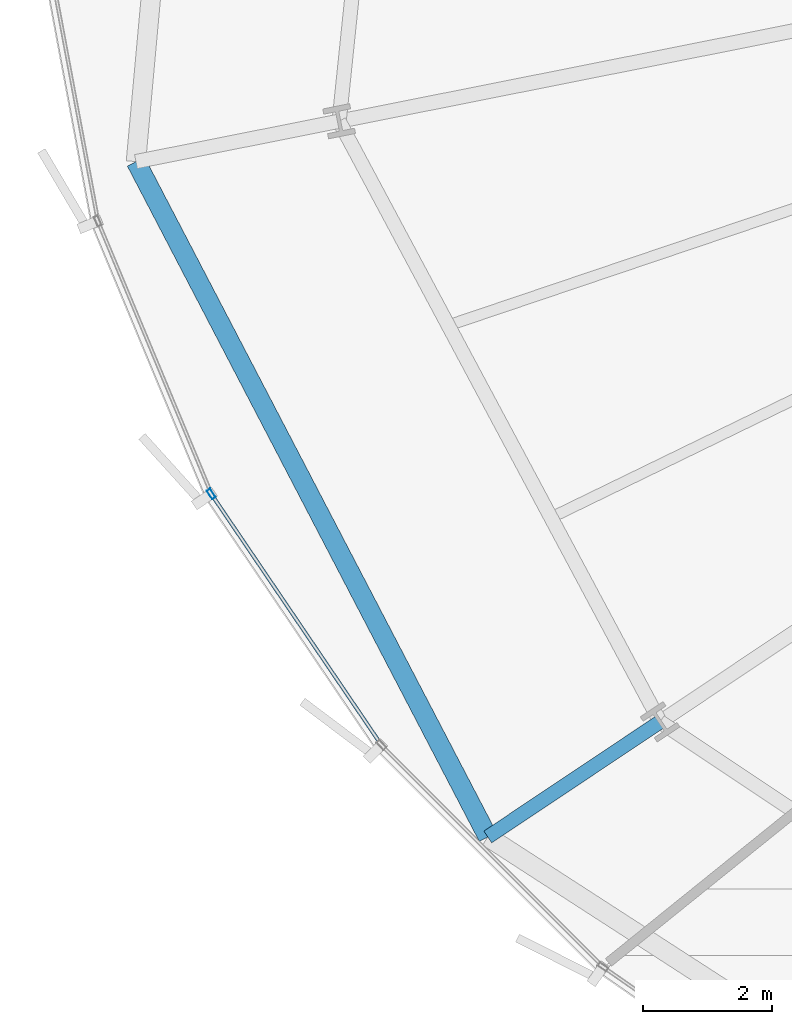
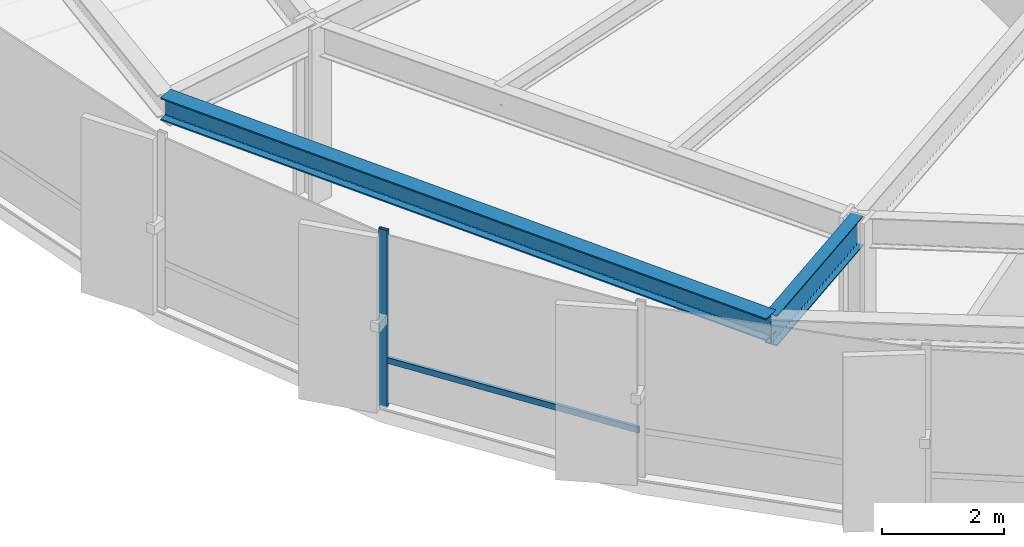
# One storey, part 3 of 37: 2 beams, 2 members, 1 element without a shape of its own.
"""IFC4 building model written with IfcOpenShell, lengths in metres."""

from ifc_helpers import new_model, si_unit, direction, frame, origin, origin_2d, place, context, subcontext, project, spatial, hollow_rectangle, i_section, extrude, source, transform, mapped, material, layer, layer_set, material_profile, profile_set, type_object, element, aggregate, save


model = new_model("IFC4")

# Units and contexts
model_context = context("Model", 3, precision=1e-05, world=origin(), true_north=direction((0.0, 1.0)))
body_context = subcontext(model_context, "Body", "Model", "MODEL_VIEW")
ifc_project = project(units=[si_unit("LENGTHUNIT", "METRE"), si_unit("AREAUNIT", "SQUARE_METRE"), si_unit("VOLUMEUNIT", "CUBIC_METRE"), si_unit("PLANEANGLEUNIT", "RADIAN"), si_unit("MASSUNIT", "GRAM", prefix="KILO"), si_unit("THERMODYNAMICTEMPERATUREUNIT", "KELVIN")], contexts=[model_context])

# Site, building, storey
site_placement = place(None, origin())
site = spatial("IfcSite", under=ifc_project, at=site_placement, CompositionType="ELEMENT")
building_placement = place(site_placement, origin())
building = spatial("IfcBuilding", under=site, at=building_placement, Name="Kethvar Cultural Tower", CompositionType="ELEMENT")
storey_placement = place(building_placement, frame((0.0, 0.0, 48.60009765625)))
storey = spatial("IfcBuildingStorey", under=building, at=storey_placement, Name="L11", CompositionType="ELEMENT", Elevation=48.60009765625)

# Beams
ifc_material_1 = material(Name="Steel S355J2", Category="steel")
ifc_material_profile_1 = material_profile(ifc_material_1, i_section(OverallWidth=0.219970703125, OverallDepth=0.60009765625, WebThickness=0.011962890625, FlangeThickness=0.01904296875, FilletRadius=0.02392578125, at=origin_2d()), Name="Steel S355J2 — IPE600")
ifc_profile_set_1 = profile_set([ifc_material_profile_1], Name="Steel S355J2 — IPE600")
beam_type_1 = type_object("IfcBeamType", Name="BM-IPE600", PredefinedType="BEAM", material=ifc_profile_set_1)
shared_shape_1 = source(origin(), body_context, "Body", "SweptSolid", [
    extrude(i_section(OverallWidth=0.219970703125, OverallDepth=0.60009765625, WebThickness=0.011962890625, FlangeThickness=0.01904296875, FilletRadius=0.02392578125, at=origin_2d()), origin(), (0.0, 0.0, 1.0), 3.2001953125),
])
beam_1_placement = place(storey_placement, frame((24.9248046875, 13.183349609375, 3.247802734375), z_axis=(-0.831486491686, -0.555544970406, 0.0), x_axis=(0.555544970406, -0.831486491686, 0.0)))
element("IfcBeam", 1, at=beam_1_placement, inside=storey, type_object=beam_type_1, Name="L11 Perimeter Cantilever Beam RC-10", PredefinedType="BEAM", context=body_context, shape_type="MappedRepresentation", body=[
    mapped(shared_shape_1, transform((0.0, 0.0, 0.0), scale=1.0)),
])
ifc_material_profile_2 = material_profile(ifc_material_1, i_section(OverallWidth=0.300048828125, OverallDepth=0.449951171875, WebThickness=0.013916015625, FlangeThickness=0.02587890625, FilletRadius=0.027099609375, at=origin_2d()), Name="Steel S355J2 — HEB450")
ifc_profile_set_2 = profile_set([ifc_material_profile_2], Name="Steel S355J2 — HEB450")
beam_type_2 = type_object("IfcBeamType", Name="BM-SP450", PredefinedType="SPANDREL", material=ifc_profile_set_2)
shared_shape_2 = source(origin(), body_context, "Body", "SweptSolid", [
    extrude(i_section(OverallWidth=0.300048828125, OverallDepth=0.449951171875, WebThickness=0.013916015625, FlangeThickness=0.02587890625, FilletRadius=0.027099609375, at=origin_2d()), origin(), (0.0, 0.0, 1.0), 11.76416015625),
])
beam_2_placement = place(storey_placement, frame((16.827392578125, 21.838134765625, 3.322998046875), z_axis=(0.462126222064, -0.886814160285, 0.0), x_axis=(0.886814160285, 0.462126222064, 0.0)))
element("IfcBeam", 2, at=beam_2_placement, inside=storey, type_object=beam_type_2, Name="L11 Perimeter Spandrel Beam SP-09", PredefinedType="SPANDREL", context=body_context, shape_type="MappedRepresentation", body=[
    mapped(shared_shape_2, transform((0.0, 0.0, 0.0), scale=1.0)),
])

# Curtain wall, members
ifc_material_2 = material(Name="Aluminium 6063-T6", Category="aluminium")
ifc_layer = layer(ifc_material_2, 0.179931640625, Name="Aluminium 6063-T6", Category="aluminium")
ifc_layer_set = layer_set([ifc_layer], Name="Aluminium 6063-T6 (180 mm)")
curtain_wall_type = type_object("IfcCurtainWallType", Name="CW-SYS-02-Z1", PredefinedType="NOTDEFINED", material=ifc_layer_set)
curtain_wall_placement = place(storey_placement, origin())
curtain_wall = element("IfcCurtainWall", 3, at=curtain_wall_placement, inside=storey, type_object=curtain_wall_type, Name="L11 Curtain Wall Run 04", PredefinedType="NOTDEFINED")
ifc_material_profile_3 = material_profile(ifc_material_2, hollow_rectangle(XDim=0.06494140625, YDim=0.159912109375, WallThickness=0.0048828125, at=origin_2d()), Name="Aluminium 6063-T6 — RHS160x65x5")
ifc_profile_set_3 = profile_set([ifc_material_profile_3], Name="Aluminium 6063-T6 — RHS160x65x5")
member_type_1 = type_object("IfcMemberType", Name="CW-SYS-02-Z1-MUL", PredefinedType="MULLION", material=ifc_profile_set_3)
shared_shape_3 = source(origin(), body_context, "Body", "SweptSolid", [
    extrude(hollow_rectangle(XDim=0.06494140625, YDim=0.159912109375, WallThickness=0.0048828125, at=origin_2d()), origin(), (0.0, 0.0, 1.0), 3.5498046875),
])
member_1_placement = place(storey_placement, frame((17.990234375, 16.704345703125, 0.0), z_axis=(0.0, 0.0, 1.0), x_axis=(0.827747085607, 0.561101383235, 0.0)))
member_1 = element("IfcMember", 4, at=member_1_placement, type_object=member_type_1, Name="CW-L11-R04 Mullion 3", PredefinedType="MULLION", context=body_context, shape_type="MappedRepresentation", body=[
    mapped(shared_shape_3, transform((0.0, 0.0, 0.0), scale=1.0)),
])
ifc_material_profile_4 = material_profile(ifc_material_2, hollow_rectangle(XDim=0.054931640625, YDim=0.1201171875, WallThickness=0.00390625, at=origin_2d()), Name="Aluminium 6063-T6 — RHS120x55x4")
ifc_profile_set_4 = profile_set([ifc_material_profile_4], Name="Aluminium 6063-T6 — RHS120x55x4")
member_type_2 = type_object("IfcMemberType", Name="CW-SYS-02-Z1-TRN", PredefinedType="USERDEFINED", material=ifc_profile_set_4)
shared_shape_4 = source(origin(), body_context, "Body", "SweptSolid", [
    extrude(hollow_rectangle(XDim=0.054931640625, YDim=0.1201171875, WallThickness=0.00390625, at=origin_2d()), origin(), (0.0, 0.0, 1.0), 4.61474609375),
])
member_2_placement = place(storey_placement, frame((18.0166015625, 16.66552734375, 0.949951171875), z_axis=(0.561105471078, -0.827744314584, 0.0), x_axis=(0.827744314584, 0.561105471078, 0.0)))
member_2 = element("IfcMember", 5, at=member_2_placement, type_object=member_type_2, Name="CW-L11-R04 Transom 3", ObjectType="TRANSOM", PredefinedType="USERDEFINED", context=body_context, shape_type="MappedRepresentation", body=[
    mapped(shared_shape_4, transform((0.0, 0.0, 0.0), scale=1.0)),
])
aggregate(curtain_wall, [member_1, member_2])

save(model, "model.ifc")
